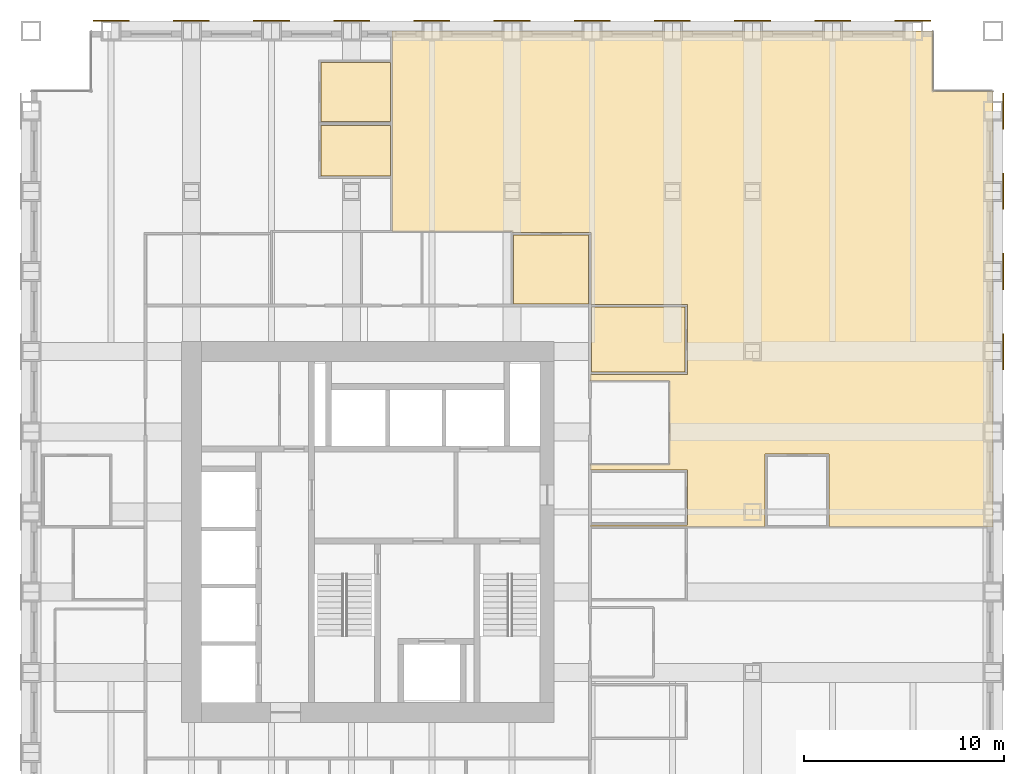
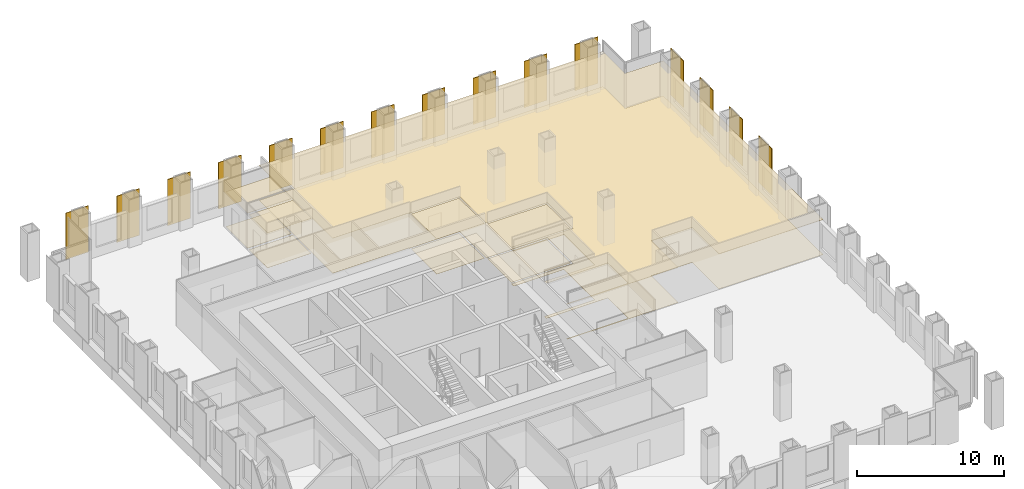
# One storey, part 16 of 16: 15 shading devices, 10 coverings.
"""IFC4 building model written with IfcOpenShell, lengths in metres."""

from ifc_helpers import new_model, si_unit, direction, frame, origin, origin_2d, place, context, subcontext, project, spatial, polyline, rectangle, outline, extrude, material, layer, layer_set, type_object, element, save


model = new_model("IFC4")

# Units and contexts
model_context = context("Model", 3, precision=1e-05, world=origin(), true_north=direction((0.0, 1.0)))
body_context = subcontext(model_context, "Body", "Model", "MODEL_VIEW")
ifc_project = project(units=[si_unit("LENGTHUNIT", "METRE"), si_unit("AREAUNIT", "SQUARE_METRE"), si_unit("VOLUMEUNIT", "CUBIC_METRE"), si_unit("PLANEANGLEUNIT", "RADIAN"), si_unit("MASSUNIT", "GRAM", prefix="KILO")], contexts=[model_context])

# Site, building, storey
site_placement = place(None, origin())
site = spatial("IfcSite", under=ifc_project, at=site_placement, CompositionType="ELEMENT")
building_placement = place(site_placement, origin())
building = spatial("IfcBuilding", under=site, at=building_placement, Name="Rimbunsela Tower", CompositionType="ELEMENT")
storey_placement = place(building_placement, frame((0.0, 0.0, 121.39990234375)))
storey = spatial("IfcBuildingStorey", under=building, at=storey_placement, Name="L29", CompositionType="ELEMENT", Elevation=121.39990234375)

# Coverings
ifc_material_1 = material(Name="Nylon carpet tile", Category="textile")
ifc_layer_1 = layer(ifc_material_1, 0.010009765625)
ifc_layer_set_1 = layer_set([ifc_layer_1], Name="Carpet tile 10")
covering_type_1 = type_object("IfcCoveringType", Name="Carpet tile 10", PredefinedType="FLOORING", material=ifc_layer_set_1)
covering_1_placement = place(storey_placement, origin())
element("IfcCovering", 1, at=covering_1_placement, inside=storey, type_object=covering_type_1, Name="Floor finish Open office", PredefinedType="FLOORING", context=body_context, shape_type="SweptSolid", body=[
    extrude(outline(polyline([(49.824951171875, 27.2509765625), (49.824951171875, 30.89990234375), (46.625, 30.89990234375), (46.625, 27.2509765625), (37.89990234375, 27.2509765625), (37.89990234375, 27.35009765625), (42.75, 27.35009765625), (42.75, 30.10009765625), (37.89990234375, 30.10009765625), (37.89990234375, 30.3759765625), (41.85009765625, 30.3759765625), (41.85009765625, 34.52587890625), (37.89990234375, 34.52587890625), (37.89990234375, 34.85009765625), (42.75, 34.85009765625), (42.75, 38.35009765625), (37.949951171875, 38.35009765625), (37.949951171875, 41.949951171875), (37.89990234375, 41.949951171875), (34.0, 41.949951171875), (34.0, 42.0), (28.0009765625, 42.0), (28.0009765625, 52.0), (37.89990234375, 52.0), (55.0, 52.0), (55.0, 49.0), (58.0, 49.0), (58.0, 27.2509765625), (49.824951171875, 27.2509765625)])), origin(), (0.0, 0.0, 1.0), 0.010009765625),
])
covering_2_placement = place(storey_placement, origin())
element("IfcCovering", 2, at=covering_2_placement, inside=storey, type_object=covering_type_1, Name="Floor finish Meeting room", PredefinedType="FLOORING", context=body_context, shape_type="SweptSolid", body=[
    extrude(outline(polyline([(37.824951171875, 38.375), (37.824951171875, 41.824951171875), (34.074951171875, 41.824951171875), (34.074951171875, 38.375), (37.824951171875, 38.375)])), origin(), (0.0, 0.0, 1.0), 0.010009765625),
])
covering_3_placement = place(storey_placement, origin())
element("IfcCovering", 3, at=covering_3_placement, inside=storey, type_object=covering_type_1, Name="Floor finish Print and copy room", PredefinedType="FLOORING", context=body_context, shape_type="SweptSolid", body=[
    extrude(outline(polyline([(27.925048828125, 44.77490234375), (27.925048828125, 47.27490234375), (24.47509765625, 47.27490234375), (24.47509765625, 44.77490234375), (27.925048828125, 44.77490234375)])), origin(), (0.0, 0.0, 1.0), 0.010009765625),
])
covering_4_placement = place(storey_placement, origin())
element("IfcCovering", 4, at=covering_4_placement, inside=storey, type_object=covering_type_1, Name="Floor finish Office", PredefinedType="FLOORING", context=body_context, shape_type="SweptSolid", body=[
    extrude(outline(polyline([(27.925048828125, 47.47509765625), (27.925048828125, 50.425048828125), (24.47509765625, 50.425048828125), (24.47509765625, 47.47509765625), (27.925048828125, 47.47509765625)])), origin(), (0.0, 0.0, 1.0), 0.010009765625),
])
covering_5_placement = place(storey_placement, origin())
element("IfcCovering", 5, at=covering_5_placement, inside=storey, type_object=covering_type_1, Name="Floor finish Pantry", PredefinedType="FLOORING", context=body_context, shape_type="SweptSolid", body=[
    extrude(outline(polyline([(42.625, 34.97509765625), (42.625, 38.22509765625), (37.97509765625, 38.22509765625), (37.97509765625, 34.97509765625), (42.625, 34.97509765625)])), origin(), (0.0, 0.0, 1.0), 0.010009765625),
])
ifc_material_2 = material(Name="Mineral fibre ceiling tile", Category="gypsum")
ifc_layer_2 = layer(ifc_material_2, 0.02001953125)
ifc_layer_set_2 = layer_set([ifc_layer_2], Name="Ceiling 600 grid")
covering_type_2 = type_object("IfcCoveringType", Name="Ceiling 600 grid", PredefinedType="CEILING", material=ifc_layer_set_2)
covering_6_placement = place(storey_placement, frame((0.0, 0.0, 2.900146484375)))
element("IfcCovering", 6, at=covering_6_placement, inside=storey, type_object=covering_type_2, Name="Ceiling Open office", PredefinedType="CEILING", context=body_context, shape_type="SweptSolid", body=[
    extrude(outline(polyline([(49.824951171875, 27.2509765625), (49.824951171875, 30.89990234375), (46.625, 30.89990234375), (46.625, 27.2509765625), (37.89990234375, 27.2509765625), (37.89990234375, 27.35009765625), (42.75, 27.35009765625), (42.75, 30.10009765625), (37.89990234375, 30.10009765625), (37.89990234375, 30.3759765625), (41.85009765625, 30.3759765625), (41.85009765625, 34.52587890625), (37.89990234375, 34.52587890625), (37.89990234375, 34.85009765625), (42.75, 34.85009765625), (42.75, 38.35009765625), (37.949951171875, 38.35009765625), (37.949951171875, 41.949951171875), (37.89990234375, 41.949951171875), (34.0, 41.949951171875), (34.0, 42.0), (28.0009765625, 42.0), (28.0009765625, 52.0), (37.89990234375, 52.0), (55.0, 52.0), (55.0, 49.0), (58.0, 49.0), (58.0, 27.2509765625), (49.824951171875, 27.2509765625)])), origin(), (0.0, 0.0, 1.0), 0.02001953125),
])
covering_7_placement = place(storey_placement, frame((0.0, 0.0, 2.900146484375)))
element("IfcCovering", 7, at=covering_7_placement, inside=storey, type_object=covering_type_2, Name="Ceiling Meeting room", PredefinedType="CEILING", context=body_context, shape_type="SweptSolid", body=[
    extrude(outline(polyline([(37.824951171875, 38.375), (37.824951171875, 41.824951171875), (34.074951171875, 41.824951171875), (34.074951171875, 38.375), (37.824951171875, 38.375)])), origin(), (0.0, 0.0, 1.0), 0.02001953125),
])
covering_8_placement = place(storey_placement, frame((0.0, 0.0, 2.900146484375)))
element("IfcCovering", 8, at=covering_8_placement, inside=storey, type_object=covering_type_2, Name="Ceiling Print and copy room", PredefinedType="CEILING", context=body_context, shape_type="SweptSolid", body=[
    extrude(outline(polyline([(27.925048828125, 44.77490234375), (27.925048828125, 47.27490234375), (24.47509765625, 47.27490234375), (24.47509765625, 44.77490234375), (27.925048828125, 44.77490234375)])), origin(), (0.0, 0.0, 1.0), 0.02001953125),
])
covering_9_placement = place(storey_placement, frame((0.0, 0.0, 2.900146484375)))
element("IfcCovering", 9, at=covering_9_placement, inside=storey, type_object=covering_type_2, Name="Ceiling Office", PredefinedType="CEILING", context=body_context, shape_type="SweptSolid", body=[
    extrude(outline(polyline([(27.925048828125, 47.47509765625), (27.925048828125, 50.425048828125), (24.47509765625, 50.425048828125), (24.47509765625, 47.47509765625), (27.925048828125, 47.47509765625)])), origin(), (0.0, 0.0, 1.0), 0.02001953125),
])
covering_10_placement = place(storey_placement, frame((0.0, 0.0, 2.900146484375)))
element("IfcCovering", 10, at=covering_10_placement, inside=storey, type_object=covering_type_2, Name="Ceiling Pantry", PredefinedType="CEILING", context=body_context, shape_type="SweptSolid", body=[
    extrude(outline(polyline([(42.625, 34.97509765625), (42.625, 38.22509765625), (37.97509765625, 38.22509765625), (37.97509765625, 34.97509765625), (42.625, 34.97509765625)])), origin(), (0.0, 0.0, 1.0), 0.02001953125),
])

# Shading devices
ifc_material_3 = material(Name="Perforated aluminium, 35 % open area", Category="aluminium")
ifc_layer_3 = layer(ifc_material_3, 0.050048828125)
ifc_layer_set_3 = layer_set([ifc_layer_3], Name="Solar screen panel 1800")
shading_device_type = type_object("IfcShadingDeviceType", Name="Solar screen panel 1800", PredefinedType="USERDEFINED", material=ifc_layer_set_3)
for number, where, z_axis, x_axis, name in (
    (11, (58.52490234375, 36.0, 0.0), (0.0, 0.0, 1.0), (0.0, 1.0, 0.0), "Solar screen E L29"),
    (12, (58.52490234375, 40.0, 0.0), (0.0, 0.0, 1.0), (0.0, 1.0, 0.0), "Solar screen E L29"),
    (13, (58.52490234375, 44.0, 0.0), (0.0, 0.0, 1.0), (0.0, 1.0, 0.0), "Solar screen E L29"),
    (14, (58.52490234375, 48.0, 0.0), (0.0, 0.0, 1.0), (0.0, 1.0, 0.0), "Solar screen E L29"),
    (15, (14.0, 52.52490234375, 0.0), (0.0, 0.0, 1.0), (1.0, 0.0, 0.0), "Solar screen N L29"),
    (16, (18.0, 52.52490234375, 0.0), (0.0, 0.0, 1.0), (1.0, 0.0, 0.0), "Solar screen N L29"),
    (17, (22.0, 52.52490234375, 0.0), (0.0, 0.0, 1.0), (1.0, 0.0, 0.0), "Solar screen N L29"),
    (18, (26.0, 52.52490234375, 0.0), (0.0, 0.0, 1.0), (1.0, 0.0, 0.0), "Solar screen N L29"),
    (19, (30.0, 52.52490234375, 0.0), (0.0, 0.0, 1.0), (1.0, 0.0, 0.0), "Solar screen N L29"),
    (20, (34.0, 52.52490234375, 0.0), (0.0, 0.0, 1.0), (1.0, 0.0, 0.0), "Solar screen N L29"),
    (21, (38.0, 52.52490234375, 0.0), (0.0, 0.0, 1.0), (1.0, 0.0, 0.0), "Solar screen N L29"),
    (22, (42.0, 52.52490234375, 0.0), (0.0, 0.0, 1.0), (1.0, 0.0, 0.0), "Solar screen N L29"),
    (23, (46.0, 52.52490234375, 0.0), (0.0, 0.0, 1.0), (1.0, 0.0, 0.0), "Solar screen N L29"),
    (24, (50.0, 52.52490234375, 0.0), (0.0, 0.0, 1.0), (1.0, 0.0, 0.0), "Solar screen N L29"),
    (25, (54.0, 52.52490234375, 0.0), (0.0, 0.0, 1.0), (1.0, 0.0, 0.0), "Solar screen N L29"),
):
    element("IfcShadingDevice", number, at=place(storey_placement, frame(where, z_axis=z_axis, x_axis=x_axis)), inside=storey, type_object=shading_device_type, Name=name, ObjectType="SCREEN", PredefinedType="USERDEFINED", context=body_context, shape_type="SweptSolid", body=[
        extrude(rectangle(XDim=1.800048828125, YDim=0.050048828125, at=origin_2d()), origin(), (0.0, 0.0, 1.0), 3.85009765625),
    ])

save(model, "model.ifc")
